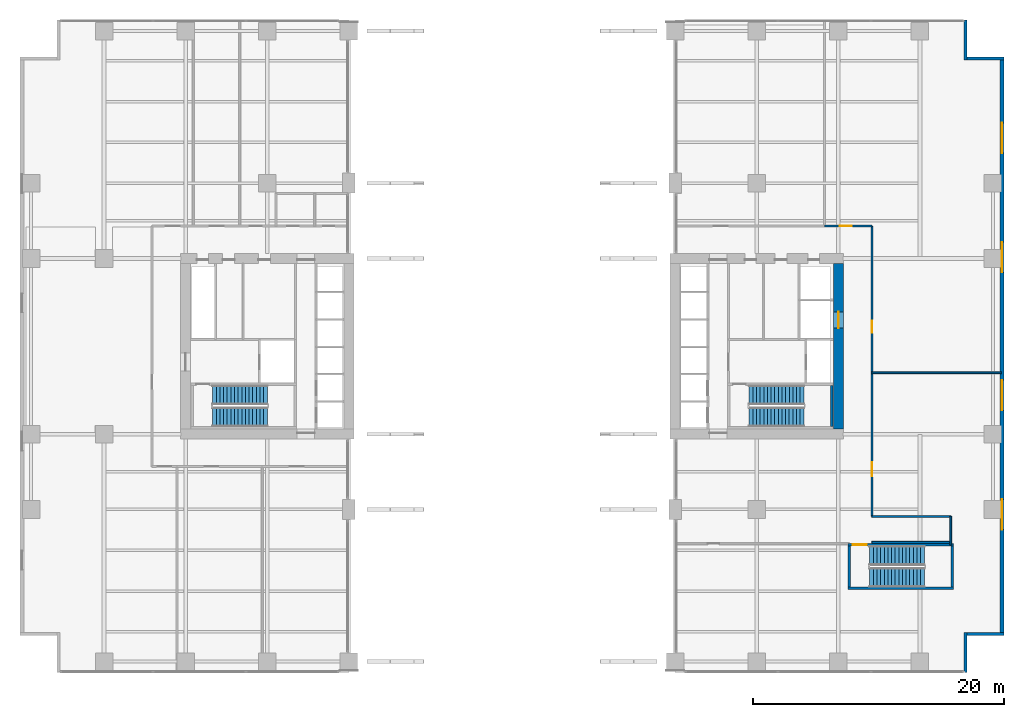
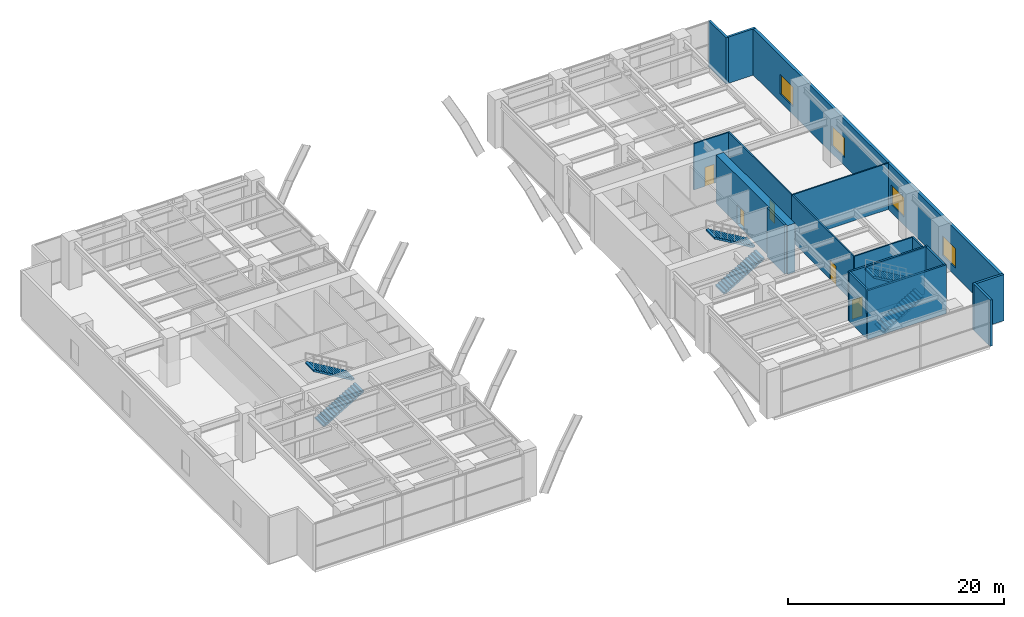
# One storey, part 12 of 17: 18 walls, 6 stair flights, 5 doors, 4 windows, 9 openings, 3 elements without a shape of their own.
"""IFC4 building model written with IfcOpenShell, lengths in metres."""

from ifc_helpers import new_model, si_unit, direction, frame, frame_2d, origin, place, context, subcontext, project, spatial, polyline, rectangle, outline, extrude, material, layer, layer_set, type_object, element, fill, aggregate, save


model = new_model("IFC4")

# Units and contexts
model_context = context("Model", 3, precision=1e-05, world=origin(), true_north=direction((0.0, 1.0)))
body_context = subcontext(model_context, "Body", "Model", "MODEL_VIEW")
ifc_project = project(units=[si_unit("LENGTHUNIT", "METRE"), si_unit("AREAUNIT", "SQUARE_METRE"), si_unit("VOLUMEUNIT", "CUBIC_METRE"), si_unit("PLANEANGLEUNIT", "RADIAN"), si_unit("MASSUNIT", "GRAM", prefix="KILO")], contexts=[model_context])

# Site, building, storey
site_placement = place(None, origin())
site = spatial("IfcSite", under=ifc_project, at=site_placement, CompositionType="ELEMENT")
building_placement = place(site_placement, origin())
building = spatial("IfcBuilding", under=site, at=building_placement, Name="Putna Gate Headquarters", CompositionType="ELEMENT")
storey_placement = place(building_placement, frame((0.0, 0.0, 6.0)))
storey = spatial("IfcBuildingStorey", under=building, at=storey_placement, Name="L01", CompositionType="ELEMENT", Elevation=6.0)

# Wall, opening, door
ifc_material_1 = material(Name="Concrete C60/75", Category="concrete")
ifc_layer_1 = layer(ifc_material_1, 0.800048828125)
ifc_layer_set_1 = layer_set([ifc_layer_1], Name="Concrete C60/75")
wall_type_1 = type_object("IfcWallType", Name="WALL-CORE-800", PredefinedType="SHEAR", material=ifc_layer_set_1)
wall_1_placement = place(storey_placement, frame((65.0, 19.39990234375, 0.0), z_axis=(0.0, 0.0, 1.0), x_axis=(0.0, 1.0, 0.0)))
wall_1 = element("IfcWall", 1, at=wall_1_placement, inside=storey, type_object=wall_type_1, Name="L01 EC Split Core Shear Wall E", PredefinedType="SHEAR", context=body_context, shape_type="SweptSolid", body=[
    extrude(rectangle(XDim=13.2001953125, YDim=0.800048828125, at=frame_2d((6.60009765625, 0.0))), origin(), (0.0, 0.0, 1.0), 5.5),
])
opening_1_placement = place(wall_1_placement, frame((8.050048828125, 0.0, 0.0)))
opening_1 = element("IfcOpeningElement", 2, at=opening_1_placement, cuts=wall_1, Name="Opening LD-2", PredefinedType="OPENING", context=body_context, shape_type="SweptSolid", body=[
    extrude(rectangle(XDim=1.300048828125, YDim=2.199951171875, at=frame_2d((0.64990234375, 1.10009765625))), frame((0.0, 0.409912109375, 0.0), z_axis=(0.0, -1.0, 0.0), x_axis=(1.0, 0.0, 0.0)), (0.0, 0.0, 1.0), 0.820068359375),
])
ifc_material_2 = material(Name="Heavy-duty goods lift sliding landing door")
door_type_1 = type_object("IfcDoorType", Name="DOOR-LIFT-1300", OperationType="DOUBLE_DOOR_SLIDING", PredefinedType="DOOR", material=ifc_material_2)
door_1_placement = place(opening_1_placement, origin())
door_1 = element("IfcDoor", 3, at=door_1_placement, inside=storey, type_object=door_type_1, Name="L01 Goods Lift Landing Door LD-15", OperationType="DOUBLE_DOOR_SLIDING", OverallHeight=2.199951171875, OverallWidth=1.300048828125, PredefinedType="DOOR", context=body_context, shape_type="SweptSolid", body=[
    extrude(rectangle(XDim=1.300048828125, YDim=2.199951171875, at=frame_2d((0.64990234375, 1.10009765625))), frame((0.0, 0.02490234375, 0.0), z_axis=(0.0, -1.0, 0.0), x_axis=(1.0, 0.0, 0.0)), (0.0, 0.0, 1.0), 0.050048828125),
])
fill(opening_1, door_1)

# Wall, openings, windows
ifc_material_3 = material(Name="Precast concrete C40/50", Category="concrete")
ifc_layer_2 = layer(ifc_material_3, 0.300048828125)
ifc_layer_set_2 = layer_set([ifc_layer_2], Name="Precast concrete C40/50")
wall_type_2 = type_object("IfcWallType", Name="WALL-EXT-POD-300", PredefinedType="STANDARD", material=ifc_layer_set_2)
wall_2_placement = place(storey_placement, frame((78.050048828125, 48.800048828125, 0.0), z_axis=(0.0, 0.0, 1.0), x_axis=(0.0, -1.0, 0.0)))
wall_2 = element("IfcWall", 4, at=wall_2_placement, inside=storey, type_object=wall_type_2, Name="L01 E Podium Precast Facade Wall", PredefinedType="STANDARD", context=body_context, shape_type="SweptSolid", body=[
    extrude(rectangle(XDim=45.60009765625, YDim=0.300048828125, at=frame_2d((22.800048828125, 0.0))), origin(), (0.0, 0.0, 1.0), 5.219970703125),
])
opening_2_placement = place(wall_2_placement, frame((5.0, 0.0, 0.89990234375)))
opening_2 = element("IfcOpeningElement", 5, at=opening_2_placement, cuts=wall_2, Name="Opening WN-3", PredefinedType="OPENING", context=body_context, shape_type="SweptSolid", body=[
    extrude(rectangle(XDim=2.39990234375, YDim=2.199951171875, at=frame_2d((1.199951171875, 1.10009765625))), frame((0.0, 0.159912109375, 0.0), z_axis=(0.0, -1.0, 0.0), x_axis=(1.0, 0.0, 0.0)), (0.0, 0.0, 1.0), 0.320068359375),
])
opening_3_placement = place(wall_2_placement, frame((14.5, 0.0, 0.89990234375)))
opening_3 = element("IfcOpeningElement", 6, at=opening_3_placement, cuts=wall_2, Name="Opening WN-3", PredefinedType="OPENING", context=body_context, shape_type="SweptSolid", body=[
    extrude(rectangle(XDim=2.39990234375, YDim=2.199951171875, at=frame_2d((1.199951171875, 1.10009765625))), frame((0.0, 0.159912109375, 0.0), z_axis=(0.0, -1.0, 0.0), x_axis=(1.0, 0.0, 0.0)), (0.0, 0.0, 1.0), 0.320068359375),
])
opening_4_placement = place(wall_2_placement, frame((25.5, 0.0, 0.89990234375)))
opening_4 = element("IfcOpeningElement", 7, at=opening_4_placement, cuts=wall_2, Name="Opening WN-3", PredefinedType="OPENING", context=body_context, shape_type="SweptSolid", body=[
    extrude(rectangle(XDim=2.39990234375, YDim=2.199951171875, at=frame_2d((1.199951171875, 1.10009765625))), frame((0.0, 0.159912109375, 0.0), z_axis=(0.0, -1.0, 0.0), x_axis=(1.0, 0.0, 0.0)), (0.0, 0.0, 1.0), 0.320068359375),
])
opening_5_placement = place(wall_2_placement, frame((35.0, 0.0, 0.89990234375)))
opening_5 = element("IfcOpeningElement", 8, at=opening_5_placement, cuts=wall_2, Name="Opening WN-3", PredefinedType="OPENING", context=body_context, shape_type="SweptSolid", body=[
    extrude(rectangle(XDim=2.39990234375, YDim=2.199951171875, at=frame_2d((1.199951171875, 1.10009765625))), frame((0.0, 0.159912109375, 0.0), z_axis=(0.0, -1.0, 0.0), x_axis=(1.0, 0.0, 0.0)), (0.0, 0.0, 1.0), 0.320068359375),
])
ifc_material_4 = material(Name="Triple low-E insulated glazing in bronze aluminium frame", Category="aluminium")
window_type = type_object("IfcWindowType", Name="WIN-EXT-2400x2200", PartitioningType="SINGLE_PANEL", PredefinedType="WINDOW", material=ifc_material_4)
window_1_placement = place(opening_2_placement, origin())
window_1 = element("IfcWindow", 9, at=window_1_placement, inside=storey, type_object=window_type, Name="L01 E Vision Window 1", OverallHeight=2.199951171875, OverallWidth=2.39990234375, PartitioningType="SINGLE_PANEL", PredefinedType="WINDOW", context=body_context, shape_type="SweptSolid", body=[
    extrude(rectangle(XDim=2.39990234375, YDim=2.199951171875, at=frame_2d((1.199951171875, 1.10009765625))), frame((0.0, 0.030029296875, 0.0), z_axis=(0.0, -1.0, 0.0), x_axis=(1.0, 0.0, 0.0)), (0.0, 0.0, 1.0), 0.06005859375),
])
fill(opening_2, window_1)
window_2_placement = place(opening_3_placement, origin())
window_2 = element("IfcWindow", 10, at=window_2_placement, inside=storey, type_object=window_type, Name="L01 E Vision Window 2", OverallHeight=2.199951171875, OverallWidth=2.39990234375, PartitioningType="SINGLE_PANEL", PredefinedType="WINDOW", context=body_context, shape_type="SweptSolid", body=[
    extrude(rectangle(XDim=2.39990234375, YDim=2.199951171875, at=frame_2d((1.199951171875, 1.10009765625))), frame((0.0, 0.030029296875, 0.0), z_axis=(0.0, -1.0, 0.0), x_axis=(1.0, 0.0, 0.0)), (0.0, 0.0, 1.0), 0.06005859375),
])
fill(opening_3, window_2)
window_3_placement = place(opening_4_placement, origin())
window_3 = element("IfcWindow", 11, at=window_3_placement, inside=storey, type_object=window_type, Name="L01 E Vision Window 3", OverallHeight=2.199951171875, OverallWidth=2.39990234375, PartitioningType="SINGLE_PANEL", PredefinedType="WINDOW", context=body_context, shape_type="SweptSolid", body=[
    extrude(rectangle(XDim=2.39990234375, YDim=2.199951171875, at=frame_2d((1.199951171875, 1.10009765625))), frame((0.0, 0.030029296875, 0.0), z_axis=(0.0, -1.0, 0.0), x_axis=(1.0, 0.0, 0.0)), (0.0, 0.0, 1.0), 0.06005859375),
])
fill(opening_4, window_3)
window_4_placement = place(opening_5_placement, origin())
window_4 = element("IfcWindow", 12, at=window_4_placement, inside=storey, type_object=window_type, Name="L01 E Vision Window 4", OverallHeight=2.199951171875, OverallWidth=2.39990234375, PartitioningType="SINGLE_PANEL", PredefinedType="WINDOW", context=body_context, shape_type="SweptSolid", body=[
    extrude(rectangle(XDim=2.39990234375, YDim=2.199951171875, at=frame_2d((1.199951171875, 1.10009765625))), frame((0.0, 0.030029296875, 0.0), z_axis=(0.0, -1.0, 0.0), x_axis=(1.0, 0.0, 0.0)), (0.0, 0.0, 1.0), 0.06005859375),
])
fill(opening_5, window_4)

# Walls
ifc_layer_3 = layer(ifc_material_3, 0.239990234375)
ifc_layer_set_3 = layer_set([ifc_layer_3], Name="Precast concrete C40/50")
wall_type_3 = type_object("IfcWallType", Name="WALL-EXT-TERR-240", PredefinedType="STANDARD", material=ifc_layer_set_3)
for number, where, z_axis, x_axis, name in (
    (13, (75.1201171875, 52.0, 0.0), (0.0, 0.0, 1.0), (0.0, -1.0, 0.0), "L01 Corner Notch Return Wall NE-V"),
    (14, (75.0, 48.919921875, 0.0), (0.0, 0.0, 1.0), (1.0, 0.0, 0.0), "L01 Corner Notch Return Wall NE-H"),
    (15, (75.1201171875, 3.199951171875, 0.0), (0.0, 0.0, 1.0), (0.0, -1.0, 0.0), "L01 Corner Notch Return Wall SE-V"),
    (16, (78.199951171875, 3.080078125, 0.0), (0.0, 0.0, 1.0), (-1.0, 0.0, 0.0), "L01 Corner Notch Return Wall SE-H"),
):
    element("IfcWall", number, at=place(storey_placement, frame(where, z_axis=z_axis, x_axis=x_axis)), inside=storey, type_object=wall_type_3, Name=name, PredefinedType="STANDARD", context=body_context, shape_type="SweptSolid", body=[
        extrude(rectangle(XDim=3.199951171875, YDim=0.239990234375, at=frame_2d((1.60009765625, 0.0))), origin(), (0.0, 0.0, 1.0), 5.219970703125),
    ])
ifc_material_5 = material(Name="Fire-rated gypsum board on metal stud")
ifc_layer_4 = layer(ifc_material_5, 0.139892578125)
ifc_layer_set_4 = layer_set([ifc_layer_4], Name="Fire-rated gypsum board on metal stud")
wall_type_4 = type_object("IfcWallType", Name="WALL-PART-140", PredefinedType="PARTITIONING", material=ifc_layer_set_4)
wall_3_placement = place(storey_placement, frame((67.679931640625, 23.89990234375, 0.0), z_axis=(0.0, 0.0, 1.0), x_axis=(1.0, 0.0, 0.0)))
element("IfcWall", 17, at=wall_3_placement, inside=storey, type_object=wall_type_4, Name="L01 Interior Wall PART-L01-EDIV", PredefinedType="PARTITIONING", context=body_context, shape_type="SweptSolid", body=[
    extrude(rectangle(XDim=10.320068359375, YDim=0.139892578125, at=frame_2d((5.16015625, 0.0))), origin(), (0.0, 0.0, 1.0), 5.219970703125),
])
wall_4_placement = place(storey_placement, frame((67.679931640625, 10.3798828125, 0.0), z_axis=(0.0, 0.0, 1.0), x_axis=(1.0, 0.0, 0.0)))
element("IfcWall", 18, at=wall_4_placement, inside=storey, type_object=wall_type_4, Name="L01 Interior Wall PART-L01-ESEC", PredefinedType="PARTITIONING", context=body_context, shape_type="SweptSolid", body=[
    extrude(rectangle(XDim=6.27001953125, YDim=0.139892578125, at=frame_2d((3.135009765625, 0.0))), origin(), (0.0, 0.0, 1.0), 5.219970703125),
])
wall_5_placement = place(storey_placement, frame((73.949951171875, 10.18994140625, 0.0), z_axis=(0.0, 0.0, 1.0), x_axis=(0.0, 1.0, 0.0)))
element("IfcWall", 19, at=wall_5_placement, inside=storey, type_object=wall_type_4, Name="L01 Interior Wall PART-L01-ESCAP", PredefinedType="PARTITIONING", context=body_context, shape_type="SweptSolid", body=[
    extrude(rectangle(XDim=2.260009765625, YDim=0.139892578125, at=frame_2d((1.1298828125, 0.0))), origin(), (0.0, 0.0, 1.0), 5.219970703125),
])
wall_6_placement = place(storey_placement, frame((67.679931640625, 12.449951171875, 0.0), z_axis=(0.0, 0.0, 1.0), x_axis=(1.0, 0.0, 0.0)))
element("IfcWall", 20, at=wall_6_placement, inside=storey, type_object=wall_type_4, Name="L01 Interior Wall PART-L01-ESN", PredefinedType="PARTITIONING", context=body_context, shape_type="SweptSolid", body=[
    extrude(rectangle(XDim=6.27001953125, YDim=0.139892578125, at=frame_2d((3.135009765625, 0.0))), origin(), (0.0, 0.0, 1.0), 5.219970703125),
])

# Wall, opening, door
wall_7_placement = place(storey_placement, frame((63.89990234375, 35.580078125, 0.0), z_axis=(0.0, 0.0, 1.0), x_axis=(1.0, 0.0, 0.0)))
wall_7 = element("IfcWall", 21, at=wall_7_placement, inside=storey, type_object=wall_type_4, Name="L01 Interior Wall PART-L01-EON", PredefinedType="PARTITIONING", context=body_context, shape_type="SweptSolid", body=[
    extrude(rectangle(XDim=3.780029296875, YDim=0.139892578125, at=frame_2d((1.89013671875, 0.0))), origin(), (0.0, 0.0, 1.0), 5.219970703125),
])
opening_6_placement = place(wall_7_placement, frame((1.199951171875, 0.0, 0.0)))
opening_6 = element("IfcOpeningElement", 22, at=opening_6_placement, cuts=wall_7, Name="Opening IDS-95", PredefinedType="OPENING", context=body_context, shape_type="SweptSolid", body=[
    extrude(rectangle(XDim=0.949951171875, YDim=2.14990234375, at=frame_2d((0.47509765625, 1.074951171875))), frame((0.0, 0.079833984375, 0.0), z_axis=(0.0, -1.0, 0.0), x_axis=(1.0, 0.0, 0.0)), (0.0, 0.0, 1.0), 0.159912109375),
])
ifc_material_6 = material(Name="Fire-rated service timber door", Category="wood")
door_type_2 = type_object("IfcDoorType", Name="DOOR-INT-950", OperationType="NOTDEFINED", PredefinedType="DOOR", material=ifc_material_6)
door_2_placement = place(opening_6_placement, origin())
door_2 = element("IfcDoor", 23, at=door_2_placement, inside=storey, type_object=door_type_2, Name="L01 Advisory Partner Office Door", OperationType="SINGLE_SWING_LEFT", OverallHeight=2.14990234375, OverallWidth=0.949951171875, PredefinedType="DOOR", context=body_context, shape_type="SweptSolid", body=[
    extrude(rectangle(XDim=0.949951171875, YDim=2.14990234375, at=frame_2d((0.47509765625, 1.074951171875))), frame((0.0, 0.02490234375, 0.0), z_axis=(0.0, -1.0, 0.0), x_axis=(1.0, 0.0, 0.0)), (0.0, 0.0, 1.0), 0.050048828125),
])
fill(opening_6, door_2)

wall_8_placement = place(storey_placement, frame((67.679931640625, 12.449951171875, 0.0), z_axis=(0.0, 0.0, 1.0), x_axis=(0.0, 1.0, 0.0)))
wall_8 = element("IfcWall", 24, at=wall_8_placement, inside=storey, type_object=wall_type_4, Name="L01 Interior Wall PART-L01-EC1", PredefinedType="PARTITIONING", context=body_context, shape_type="SweptSolid", body=[
    extrude(rectangle(XDim=11.449951171875, YDim=0.139892578125, at=frame_2d((5.72509765625, 0.0))), origin(), (0.0, 0.0, 1.0), 5.219970703125),
])
opening_7_placement = place(wall_8_placement, frame((3.199951171875, 0.0, 0.0)))
opening_7 = element("IfcOpeningElement", 25, at=opening_7_placement, cuts=wall_8, Name="Opening IDS-110", PredefinedType="OPENING", context=body_context, shape_type="SweptSolid", body=[
    extrude(rectangle(XDim=1.10009765625, YDim=2.14990234375, at=frame_2d((0.550048828125, 1.074951171875))), frame((0.0, 0.079833984375, 0.0), z_axis=(0.0, -1.0, 0.0), x_axis=(1.0, 0.0, 0.0)), (0.0, 0.0, 1.0), 0.159912109375),
])
ifc_material_7 = material(Name="Fire-rated meeting room door")
door_type_3 = type_object("IfcDoorType", Name="DOOR-INT-1100", OperationType="NOTDEFINED", PredefinedType="DOOR", material=ifc_material_7)
door_3_placement = place(opening_7_placement, origin())
door_3 = element("IfcDoor", 26, at=door_3_placement, inside=storey, type_object=door_type_3, Name="L01 East Briefing Suite 1 Door", OperationType="SINGLE_SWING_LEFT", OverallHeight=2.14990234375, OverallWidth=1.10009765625, PredefinedType="DOOR", context=body_context, shape_type="SweptSolid", body=[
    extrude(rectangle(XDim=1.10009765625, YDim=2.14990234375, at=frame_2d((0.550048828125, 1.074951171875))), frame((0.0, 0.02490234375, 0.0), z_axis=(0.0, -1.0, 0.0), x_axis=(1.0, 0.0, 0.0)), (0.0, 0.0, 1.0), 0.050048828125),
])
fill(opening_7, door_3)

wall_9_placement = place(storey_placement, frame((67.679931640625, 23.89990234375, 0.0), z_axis=(0.0, 0.0, 1.0), x_axis=(0.0, 1.0, 0.0)))
wall_9 = element("IfcWall", 27, at=wall_9_placement, inside=storey, type_object=wall_type_4, Name="L01 Interior Wall PART-L01-EE1", PredefinedType="PARTITIONING", context=body_context, shape_type="SweptSolid", body=[
    extrude(rectangle(XDim=11.68017578125, YDim=0.139892578125, at=frame_2d((5.840087890625, 0.0))), origin(), (0.0, 0.0, 1.0), 5.219970703125),
])
opening_8_placement = place(wall_9_placement, frame((3.199951171875, 0.0, 0.0)))
opening_8 = element("IfcOpeningElement", 28, at=opening_8_placement, cuts=wall_9, Name="Opening IDS-95", PredefinedType="OPENING", context=body_context, shape_type="SweptSolid", body=[
    extrude(rectangle(XDim=0.949951171875, YDim=2.14990234375, at=frame_2d((0.47509765625, 1.074951171875))), frame((0.0, 0.079833984375, 0.0), z_axis=(0.0, -1.0, 0.0), x_axis=(1.0, 0.0, 0.0)), (0.0, 0.0, 1.0), 0.159912109375),
])
door_4_placement = place(opening_8_placement, origin())
door_4 = element("IfcDoor", 29, at=door_4_placement, inside=storey, type_object=door_type_2, Name="L01 Advisory Director Office Door", OperationType="SINGLE_SWING_LEFT", OverallHeight=2.14990234375, OverallWidth=0.949951171875, PredefinedType="DOOR", context=body_context, shape_type="SweptSolid", body=[
    extrude(rectangle(XDim=0.949951171875, YDim=2.14990234375, at=frame_2d((0.47509765625, 1.074951171875))), frame((0.0, 0.02490234375, 0.0), z_axis=(0.0, -1.0, 0.0), x_axis=(1.0, 0.0, 0.0)), (0.0, 0.0, 1.0), 0.050048828125),
])
fill(opening_8, door_4)

# Walls
ifc_material_8 = material(Name="Concrete C40/50", Category="concrete")
ifc_layer_5 = layer(ifc_material_8, 0.199951171875)
ifc_layer_set_5 = layer_set([ifc_layer_5], Name="Concrete C40/50")
wall_type_5 = type_object("IfcWallType", Name="WALL-SHAFT-RC200", PredefinedType="SHEAR", material=ifc_layer_set_5)
wall_10_placement = place(storey_placement, frame((64.489990234375, 19.610107421875, 0.0), z_axis=(0.0, 0.0, 1.0), x_axis=(0.0, 1.0, 0.0)))
element("IfcWall", 30, at=wall_10_placement, inside=storey, type_object=wall_type_5, Name="L01 Stair ST2 Structural Shaft Wall E", PredefinedType="SHEAR", context=body_context, shape_type="SweptSolid", body=[
    extrude(rectangle(XDim=3.27978515625, YDim=0.199951171875, at=frame_2d((1.639892578125, 0.0))), origin(), (0.0, 0.0, 1.0), 5.5),
])
wall_11_placement = place(storey_placement, frame((65.760009765625, 6.7099609375, 0.0), z_axis=(0.0, 0.0, 1.0), x_axis=(1.0, 0.0, 0.0)))
element("IfcWall", 31, at=wall_11_placement, inside=storey, type_object=wall_type_5, Name="L01 Stair ST3 Structural Shaft Wall S", PredefinedType="SHEAR", context=body_context, shape_type="SweptSolid", body=[
    extrude(rectangle(XDim=8.429931640625, YDim=0.199951171875, at=frame_2d((4.21484375, 0.0))), origin(), (0.0, 0.0, 1.0), 5.5),
])

# Wall, opening, door
wall_12_placement = place(storey_placement, frame((65.760009765625, 10.18994140625, 0.0), z_axis=(0.0, 0.0, 1.0), x_axis=(1.0, 0.0, 0.0)))
wall_12 = element("IfcWall", 32, at=wall_12_placement, inside=storey, type_object=wall_type_5, Name="L01 Stair ST3 Structural Shaft Wall N", PredefinedType="SHEAR", context=body_context, shape_type="SweptSolid", body=[
    extrude(rectangle(XDim=8.429931640625, YDim=0.199951171875, at=frame_2d((4.21484375, 0.0))), origin(), (0.0, 0.0, 1.0), 5.5),
])
opening_9_placement = place(wall_12_placement, frame((0.39990234375, 0.0, 0.0)))
opening_9 = element("IfcOpeningElement", 33, at=opening_9_placement, cuts=wall_12, Name="Opening FD-110", PredefinedType="OPENING", context=body_context, shape_type="SweptSolid", body=[
    extrude(rectangle(XDim=1.10009765625, YDim=2.14990234375, at=frame_2d((0.550048828125, 1.074951171875))), frame((0.0, 0.10986328125, 0.0), z_axis=(0.0, -1.0, 0.0), x_axis=(1.0, 0.0, 0.0)), (0.0, 0.0, 1.0), 0.219970703125),
])
ifc_material_9 = material(Name="Powder-coated steel fire door", Category="steel")
door_type_4 = type_object("IfcDoorType", Name="DOOR-FIRE-1100", OperationType="NOTDEFINED", PredefinedType="DOOR", material=ifc_material_9)
door_5_placement = place(opening_9_placement, origin())
door_5 = element("IfcDoor", 34, at=door_5_placement, inside=storey, type_object=door_type_4, Name="L01 Escape Stair ST3 Door", OperationType="SINGLE_SWING_RIGHT", OverallHeight=2.14990234375, OverallWidth=1.10009765625, PredefinedType="DOOR", context=body_context, shape_type="SweptSolid", body=[
    extrude(rectangle(XDim=1.10009765625, YDim=2.14990234375, at=frame_2d((0.550048828125, 1.074951171875))), frame((0.0, 0.02490234375, 0.0), z_axis=(0.0, -1.0, 0.0), x_axis=(1.0, 0.0, 0.0)), (0.0, 0.0, 1.0), 0.050048828125),
])
fill(opening_9, door_5)

# Walls
for number, where, z_axis, x_axis, name in (
    (35, (65.860107421875, 6.81005859375, 0.0), (0.0, 0.0, 1.0), (0.0, 1.0, 0.0), "L01 Stair ST3 Structural Shaft Wall W"),
    (36, (74.090087890625, 6.81005859375, 0.0), (0.0, 0.0, 1.0), (0.0, 1.0, 0.0), "L01 Stair ST3 Structural Shaft Wall E"),
):
    element("IfcWall", number, at=place(storey_placement, frame(where, z_axis=z_axis, x_axis=x_axis)), inside=storey, type_object=wall_type_5, Name=name, PredefinedType="SHEAR", context=body_context, shape_type="SweptSolid", body=[
        extrude(rectangle(XDim=3.280029296875, YDim=0.199951171875, at=frame_2d((1.64013671875, 0.0))), origin(), (0.0, 0.0, 1.0), 5.5),
    ])

# Stair, stair flights
stair_type_1 = type_object("IfcStairType", Name="STAIR-ST1", PredefinedType="HALF_TURN_STAIR", material=ifc_material_8)
stair_1_placement = place(storey_placement, origin())
stair_1 = element("IfcStair", 37, at=stair_1_placement, inside=storey, type_object=stair_type_1, Name="L01 West Core Exit Stair ST1", PredefinedType="HALF_TURN_STAIR")
stair_flight_type_1 = type_object("IfcStairFlightType", Name="FLIGHT-ST1", PredefinedType="STRAIGHT", material=ifc_material_8)
stair_flight_1_placement = place(storey_placement, frame((15.14990234375, 20.375, 0.0), z_axis=(0.0, 0.0, 1.0), x_axis=(1.0, 0.0, 0.0)))
stair_flight_1 = element("IfcStairFlight", 38, at=stair_flight_1_placement, type_object=stair_flight_type_1, Name="ST1 flight 1", NumberOfRisers=16, NumberOfTreads=15, PredefinedType="STRAIGHT", RiserHeight=0.171875, TreadLength=0.29, context=body_context, shape_type="SweptSolid", body=[
    extrude(outline(polyline([(0.0, 0.0), (0.0, 0.171875), (0.2900390625, 0.171875), (0.2900390625, 0.34375), (0.580078125, 0.34375), (0.580078125, 0.515625), (0.8701171875, 0.515625), (0.8701171875, 0.6875), (1.159912109375, 0.6875), (1.159912109375, 0.859375), (1.449951171875, 0.859375), (1.449951171875, 1.03125), (1.739990234375, 1.03125), (1.739990234375, 1.203125), (2.030029296875, 1.203125), (2.030029296875, 1.375), (2.320068359375, 1.375), (2.320068359375, 1.546875), (2.610107421875, 1.546875), (2.610107421875, 1.71875), (2.89990234375, 1.71875), (2.89990234375, 1.890625), (3.18994140625, 1.890625), (3.18994140625, 2.0625), (3.47998046875, 2.0625), (3.47998046875, 2.234375), (3.77001953125, 2.234375), (3.77001953125, 2.40625), (4.06005859375, 2.40625), (4.06005859375, 2.578125), (4.35009765625, 2.578125), (4.35009765625, 2.75), (4.35009765625, 2.40380859375), (0.2939453125, 0.0), (0.0, 0.0)])), frame((0.0, 0.77490234375, 0.0), z_axis=(0.0, -1.0, 0.0), x_axis=(1.0, 0.0, 0.0)), (0.0, 0.0, 1.0), 1.550048828125),
])
stair_flight_2_placement = place(storey_placement, frame((19.5, 22.125, 2.75), z_axis=(0.0, 0.0, 1.0), x_axis=(-1.0, 0.0, 0.0)))
stair_flight_2 = element("IfcStairFlight", 39, at=stair_flight_2_placement, type_object=stair_flight_type_1, Name="ST1 flight 2", NumberOfRisers=16, NumberOfTreads=15, PredefinedType="STRAIGHT", RiserHeight=0.171875, TreadLength=0.29, context=body_context, shape_type="SweptSolid", body=[
    extrude(outline(polyline([(0.0, 0.0), (0.0, 0.171875), (0.2900390625, 0.171875), (0.2900390625, 0.34375), (0.580078125, 0.34375), (0.580078125, 0.515625), (0.8701171875, 0.515625), (0.8701171875, 0.6875), (1.159912109375, 0.6875), (1.159912109375, 0.859375), (1.449951171875, 0.859375), (1.449951171875, 1.03125), (1.739990234375, 1.03125), (1.739990234375, 1.203125), (2.030029296875, 1.203125), (2.030029296875, 1.375), (2.320068359375, 1.375), (2.320068359375, 1.546875), (2.610107421875, 1.546875), (2.610107421875, 1.71875), (2.89990234375, 1.71875), (2.89990234375, 1.890625), (3.18994140625, 1.890625), (3.18994140625, 2.0625), (3.47998046875, 2.0625), (3.47998046875, 2.234375), (3.77001953125, 2.234375), (3.77001953125, 2.40625), (4.06005859375, 2.40625), (4.06005859375, 2.578125), (4.35009765625, 2.578125), (4.35009765625, 2.75), (4.35009765625, 2.40380859375), (0.2939453125, 0.0), (0.0, 0.0)])), frame((0.0, 0.77490234375, 0.0), z_axis=(0.0, -1.0, 0.0), x_axis=(1.0, 0.0, 0.0)), (0.0, 0.0, 1.0), 1.550048828125),
])
aggregate(stair_1, [stair_flight_1, stair_flight_2])

stair_type_2 = type_object("IfcStairType", Name="STAIR-ST2", PredefinedType="HALF_TURN_STAIR", material=ifc_material_8)
stair_2_placement = place(storey_placement, origin())
stair_2 = element("IfcStair", 40, at=stair_2_placement, inside=storey, type_object=stair_type_2, Name="L01 East Core Exit Stair ST2", PredefinedType="HALF_TURN_STAIR")
stair_flight_type_2 = type_object("IfcStairFlightType", Name="FLIGHT-ST2", PredefinedType="STRAIGHT", material=ifc_material_8)
stair_flight_3_placement = place(storey_placement, frame((57.89990234375, 20.375, 0.0), z_axis=(0.0, 0.0, 1.0), x_axis=(1.0, 0.0, 0.0)))
stair_flight_3 = element("IfcStairFlight", 41, at=stair_flight_3_placement, type_object=stair_flight_type_2, Name="ST2 flight 1", NumberOfRisers=16, NumberOfTreads=15, PredefinedType="STRAIGHT", RiserHeight=0.171875, TreadLength=0.29, context=body_context, shape_type="SweptSolid", body=[
    extrude(outline(polyline([(0.0, 0.0), (0.0, 0.171875), (0.2900390625, 0.171875), (0.2900390625, 0.34375), (0.580078125, 0.34375), (0.580078125, 0.515625), (0.8701171875, 0.515625), (0.8701171875, 0.6875), (1.159912109375, 0.6875), (1.159912109375, 0.859375), (1.449951171875, 0.859375), (1.449951171875, 1.03125), (1.739990234375, 1.03125), (1.739990234375, 1.203125), (2.030029296875, 1.203125), (2.030029296875, 1.375), (2.320068359375, 1.375), (2.320068359375, 1.546875), (2.610107421875, 1.546875), (2.610107421875, 1.71875), (2.89990234375, 1.71875), (2.89990234375, 1.890625), (3.18994140625, 1.890625), (3.18994140625, 2.0625), (3.47998046875, 2.0625), (3.47998046875, 2.234375), (3.77001953125, 2.234375), (3.77001953125, 2.40625), (4.06005859375, 2.40625), (4.06005859375, 2.578125), (4.35009765625, 2.578125), (4.35009765625, 2.75), (4.35009765625, 2.40380859375), (0.2939453125, 0.0), (0.0, 0.0)])), frame((0.0, 0.77490234375, 0.0), z_axis=(0.0, -1.0, 0.0), x_axis=(1.0, 0.0, 0.0)), (0.0, 0.0, 1.0), 1.550048828125),
])
stair_flight_4_placement = place(storey_placement, frame((62.25, 22.125, 2.75), z_axis=(0.0, 0.0, 1.0), x_axis=(-1.0, 0.0, 0.0)))
stair_flight_4 = element("IfcStairFlight", 42, at=stair_flight_4_placement, type_object=stair_flight_type_2, Name="ST2 flight 2", NumberOfRisers=16, NumberOfTreads=15, PredefinedType="STRAIGHT", RiserHeight=0.171875, TreadLength=0.29, context=body_context, shape_type="SweptSolid", body=[
    extrude(outline(polyline([(0.0, 0.0), (0.0, 0.171875), (0.2900390625, 0.171875), (0.2900390625, 0.34375), (0.580078125, 0.34375), (0.580078125, 0.515625), (0.8701171875, 0.515625), (0.8701171875, 0.6875), (1.159912109375, 0.6875), (1.159912109375, 0.859375), (1.449951171875, 0.859375), (1.449951171875, 1.03125), (1.739990234375, 1.03125), (1.739990234375, 1.203125), (2.030029296875, 1.203125), (2.030029296875, 1.375), (2.320068359375, 1.375), (2.320068359375, 1.546875), (2.610107421875, 1.546875), (2.610107421875, 1.71875), (2.89990234375, 1.71875), (2.89990234375, 1.890625), (3.18994140625, 1.890625), (3.18994140625, 2.0625), (3.47998046875, 2.0625), (3.47998046875, 2.234375), (3.77001953125, 2.234375), (3.77001953125, 2.40625), (4.06005859375, 2.40625), (4.06005859375, 2.578125), (4.35009765625, 2.578125), (4.35009765625, 2.75), (4.35009765625, 2.40380859375), (0.2939453125, 0.0), (0.0, 0.0)])), frame((0.0, 0.77490234375, 0.0), z_axis=(0.0, -1.0, 0.0), x_axis=(1.0, 0.0, 0.0)), (0.0, 0.0, 1.0), 1.550048828125),
])
aggregate(stair_2, [stair_flight_3, stair_flight_4])

stair_type_3 = type_object("IfcStairType", Name="STAIR-ST3", PredefinedType="HALF_TURN_STAIR", material=ifc_material_8)
stair_3_placement = place(storey_placement, origin())
stair_3 = element("IfcStair", 43, at=stair_3_placement, inside=storey, type_object=stair_type_3, Name="L01 Podium Escape Stair ST3", PredefinedType="HALF_TURN_STAIR")
stair_flight_type_3 = type_object("IfcStairFlightType", Name="FLIGHT-ST3", PredefinedType="STRAIGHT", material=ifc_material_8)
stair_flight_5_placement = place(storey_placement, frame((67.5, 7.574951171875, 0.0), z_axis=(0.0, 0.0, 1.0), x_axis=(1.0, 0.0, 0.0)))
stair_flight_5 = element("IfcStairFlight", 44, at=stair_flight_5_placement, type_object=stair_flight_type_3, Name="ST3 flight 1", NumberOfRisers=16, NumberOfTreads=15, PredefinedType="STRAIGHT", RiserHeight=0.171875, TreadLength=0.29, context=body_context, shape_type="SweptSolid", body=[
    extrude(outline(polyline([(0.0, 0.0), (0.0, 0.171875), (0.2900390625, 0.171875), (0.2900390625, 0.34375), (0.580078125, 0.34375), (0.580078125, 0.515625), (0.8701171875, 0.515625), (0.8701171875, 0.6875), (1.159912109375, 0.6875), (1.159912109375, 0.859375), (1.449951171875, 0.859375), (1.449951171875, 1.03125), (1.739990234375, 1.03125), (1.739990234375, 1.203125), (2.030029296875, 1.203125), (2.030029296875, 1.375), (2.320068359375, 1.375), (2.320068359375, 1.546875), (2.610107421875, 1.546875), (2.610107421875, 1.71875), (2.89990234375, 1.71875), (2.89990234375, 1.890625), (3.18994140625, 1.890625), (3.18994140625, 2.0625), (3.47998046875, 2.0625), (3.47998046875, 2.234375), (3.77001953125, 2.234375), (3.77001953125, 2.40625), (4.06005859375, 2.40625), (4.06005859375, 2.578125), (4.35009765625, 2.578125), (4.35009765625, 2.75), (4.35009765625, 2.40380859375), (0.2939453125, 0.0), (0.0, 0.0)])), frame((0.0, 0.77490234375, 0.0), z_axis=(0.0, -1.0, 0.0), x_axis=(1.0, 0.0, 0.0)), (0.0, 0.0, 1.0), 1.550048828125),
])
stair_flight_6_placement = place(storey_placement, frame((71.85009765625, 9.324951171875, 2.75), z_axis=(0.0, 0.0, 1.0), x_axis=(-1.0, 0.0, 0.0)))
stair_flight_6 = element("IfcStairFlight", 45, at=stair_flight_6_placement, type_object=stair_flight_type_3, Name="ST3 flight 2", NumberOfRisers=16, NumberOfTreads=15, PredefinedType="STRAIGHT", RiserHeight=0.171875, TreadLength=0.29, context=body_context, shape_type="SweptSolid", body=[
    extrude(outline(polyline([(0.0, 0.0), (0.0, 0.171875), (0.2900390625, 0.171875), (0.2900390625, 0.34375), (0.580078125, 0.34375), (0.580078125, 0.515625), (0.8701171875, 0.515625), (0.8701171875, 0.6875), (1.159912109375, 0.6875), (1.159912109375, 0.859375), (1.449951171875, 0.859375), (1.449951171875, 1.03125), (1.739990234375, 1.03125), (1.739990234375, 1.203125), (2.030029296875, 1.203125), (2.030029296875, 1.375), (2.320068359375, 1.375), (2.320068359375, 1.546875), (2.610107421875, 1.546875), (2.610107421875, 1.71875), (2.89990234375, 1.71875), (2.89990234375, 1.890625), (3.18994140625, 1.890625), (3.18994140625, 2.0625), (3.47998046875, 2.0625), (3.47998046875, 2.234375), (3.77001953125, 2.234375), (3.77001953125, 2.40625), (4.06005859375, 2.40625), (4.06005859375, 2.578125), (4.35009765625, 2.578125), (4.35009765625, 2.75), (4.35009765625, 2.40380859375), (0.2939453125, 0.0), (0.0, 0.0)])), frame((0.0, 0.77490234375, 0.0), z_axis=(0.0, -1.0, 0.0), x_axis=(1.0, 0.0, 0.0)), (0.0, 0.0, 1.0), 1.550048828125),
])
aggregate(stair_3, [stair_flight_5, stair_flight_6])

save(model, "model.ifc")
